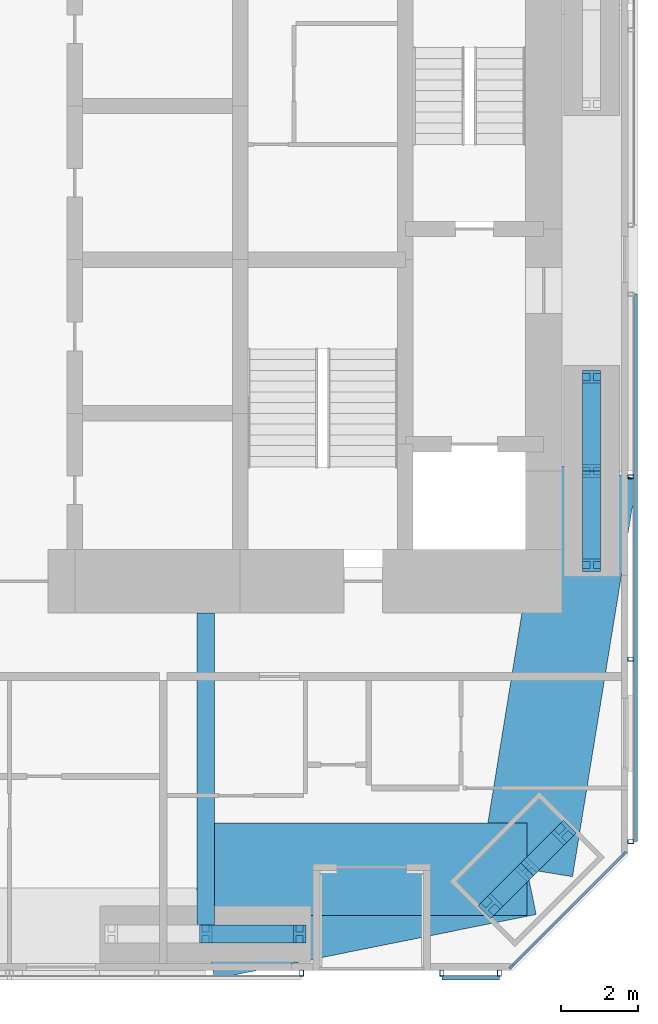
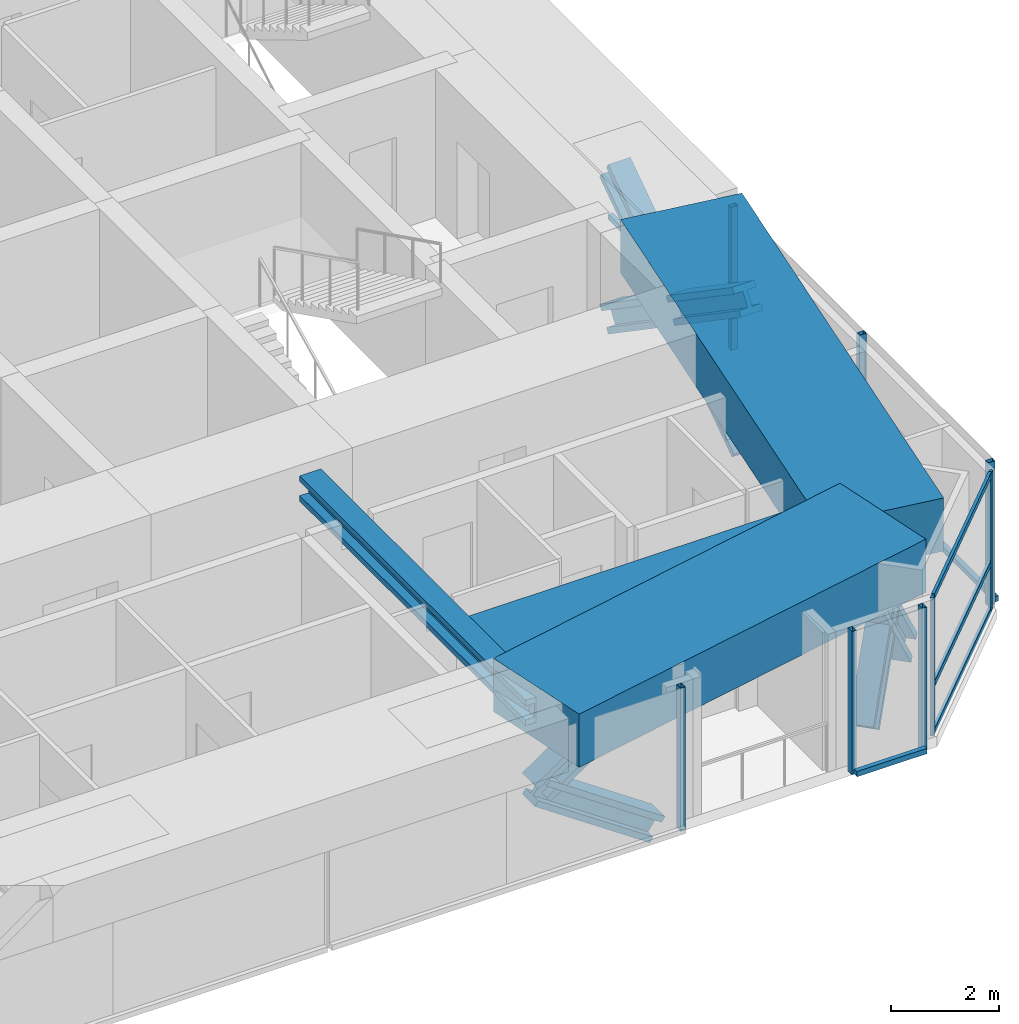
# One storey, part 7 of 22: 23 members, 4 beams, 4 elements without a shape of their own.
"""IFC4 building model written with IfcOpenShell, lengths in metres."""

from ifc_helpers import new_model, si_unit, direction, frame, origin, origin_2d, place, context, subcontext, project, spatial, rectangle, hollow_rectangle, i_section, extrude, material, material_profile, profile_set, type_object, element, aggregate, save


model = new_model("IFC4")

# Units and contexts
model_context = context("Model", 3, precision=1e-05, world=origin(), true_north=direction((0.0, 1.0)))
body_context = subcontext(model_context, "Body", "Model", "MODEL_VIEW")
ifc_project = project(units=[si_unit("LENGTHUNIT", "METRE"), si_unit("AREAUNIT", "SQUARE_METRE"), si_unit("VOLUMEUNIT", "CUBIC_METRE"), si_unit("PLANEANGLEUNIT", "RADIAN"), si_unit("MASSUNIT", "GRAM", prefix="KILO")], contexts=[model_context])

# Site, building, storey
site_placement = place(None, origin())
site = spatial("IfcSite", under=ifc_project, at=site_placement, CompositionType="ELEMENT")
building_placement = place(site_placement, origin())
building = spatial("IfcBuilding", under=site, at=building_placement, Name="Jalousie Tower", CompositionType="ELEMENT")
storey_placement = place(building_placement, frame((0.0, 0.0, 67.89990234375)))
storey = spatial("IfcBuildingStorey", under=building, at=storey_placement, Name="L18", CompositionType="ELEMENT", Elevation=67.89990234375)

# Curtain wall, members
ifc_material_1 = material(Name="Aluminium curtain wall", Category="aluminium")
curtain_wall_type_1 = type_object("IfcCurtainWallType", Name="CORNER WINDOW WALL", PredefinedType="USERDEFINED", material=ifc_material_1)
curtain_wall_1_placement = place(storey_placement, origin())
curtain_wall_1 = element("IfcCurtainWall", 1, at=curtain_wall_1_placement, inside=storey, type_object=curtain_wall_type_1, Name="Corner Window Wall L18 2", ObjectType="CORNER WINDOW WALL", PredefinedType="USERDEFINED")
ifc_material_2 = material(Name="Aluminium mullion", Category="aluminium")
ifc_material_profile_1 = material_profile(ifc_material_2, rectangle(XDim=0.06005859375, YDim=0.14990234375, at=origin_2d()), Name="MULLION 60x150")
ifc_profile_set_1 = profile_set([ifc_material_profile_1], Name="Aluminium mullion")
member_type_1 = type_object("IfcMemberType", Name="CORNER WINDOW WALL MULLION", PredefinedType="MULLION", material=ifc_profile_set_1)
member_1_placement = place(storey_placement, frame((42.969970703125, 0.108642578125, 0.0), z_axis=(0.0, 0.0, 1.0), x_axis=(-0.707106781187, 0.707106781187, 0.0)))
member_1 = element("IfcMember", 2, at=member_1_placement, type_object=member_type_1, Name="CW-C mullion 1", PredefinedType="MULLION", context=body_context, shape_type="SweptSolid", body=[
    extrude(rectangle(XDim=0.06005859375, YDim=0.14990234375, at=origin_2d()), origin(), (0.0, 0.0, 1.0), 3.110107421875),
])
member_2_placement = place(storey_placement, frame((45.891357421875, 3.030029296875, 0.0), z_axis=(0.0, 0.0, 1.0), x_axis=(-0.707106781187, 0.707106781187, 0.0)))
member_2 = element("IfcMember", 3, at=member_2_placement, type_object=member_type_1, Name="CW-C mullion 2", PredefinedType="MULLION", context=body_context, shape_type="SweptSolid", body=[
    extrude(rectangle(XDim=0.06005859375, YDim=0.14990234375, at=origin_2d()), origin(), (0.0, 0.0, 1.0), 3.110107421875),
])
ifc_material_3 = material(Name="Aluminium transom", Category="aluminium")
ifc_material_profile_2 = material_profile(ifc_material_3, rectangle(XDim=0.06005859375, YDim=0.1201171875, at=origin_2d()), Name="TRANSOM 60x120")
ifc_profile_set_2 = profile_set([ifc_material_profile_2], Name="Aluminium transom")
member_type_2 = type_object("IfcMemberType", Name="CORNER WINDOW WALL TRANSOM", PredefinedType="USERDEFINED", material=ifc_profile_set_2)
member_3_placement = place(storey_placement, frame((42.9912109375, 0.1298828125, 0.030029296875), z_axis=(0.707106781187, 0.707106781187, 0.0), x_axis=(-0.707106781187, 0.707106781187, 0.0)))
member_3 = element("IfcMember", 4, at=member_3_placement, type_object=member_type_2, Name="CW-C transom 1.1", ObjectType="TRANSOM", PredefinedType="USERDEFINED", context=body_context, shape_type="SweptSolid", body=[
    extrude(rectangle(XDim=0.06005859375, YDim=0.1201171875, at=origin_2d()), origin(), (0.0, 0.0, 1.0), 4.0712890625),
])
member_4_placement = place(storey_placement, frame((42.9912109375, 0.1298828125, 1.10009765625), z_axis=(0.707106781187, 0.707106781187, 0.0), x_axis=(-0.707106781187, 0.707106781187, 0.0)))
member_4 = element("IfcMember", 5, at=member_4_placement, type_object=member_type_2, Name="CW-C transom 1.2", ObjectType="TRANSOM", PredefinedType="USERDEFINED", context=body_context, shape_type="SweptSolid", body=[
    extrude(rectangle(XDim=0.06005859375, YDim=0.1201171875, at=origin_2d()), origin(), (0.0, 0.0, 1.0), 4.0712890625),
])
member_5_placement = place(storey_placement, frame((42.9912109375, 0.1298828125, 3.080078125), z_axis=(0.707106781187, 0.707106781187, 0.0), x_axis=(-0.707106781187, 0.707106781187, 0.0)))
member_5 = element("IfcMember", 6, at=member_5_placement, type_object=member_type_2, Name="CW-C transom 1.3", ObjectType="TRANSOM", PredefinedType="USERDEFINED", context=body_context, shape_type="SweptSolid", body=[
    extrude(rectangle(XDim=0.06005859375, YDim=0.1201171875, at=origin_2d()), origin(), (0.0, 0.0, 1.0), 4.0712890625),
])
aggregate(curtain_wall_1, [member_1, member_2, member_3, member_4, member_5])

# Beam
ifc_material_4 = material(Name="Steel ASTM A992 Grade 50", Category="steel")
ifc_material_profile_3 = material_profile(ifc_material_4, i_section(OverallWidth=0.45458984375, OverallDepth=0.569091796875, WebThickness=0.077880859375, FlangeThickness=0.124755859375, at=origin_2d()), Name="W14X730")
ifc_profile_set_3 = profile_set([ifc_material_profile_3], Name="Steel ASTM A992 Grade 50")
beam_type_1 = type_object("IfcBeamType", Name="LEAN COLLECTOR W14X730", PredefinedType="BEAM", material=ifc_profile_set_3)
beam_1_placement = place(storey_placement, frame((35.0, 0.949951171875, 2.82568359375), z_axis=(0.0, 1.0, 0.0), x_axis=(-1.0, 0.0, 0.0)))
element("IfcBeam", 7, at=beam_1_placement, inside=storey, type_object=beam_type_1, Name="Lean collector under L19", PredefinedType="BEAM", context=body_context, shape_type="SweptSolid", body=[
    extrude(i_section(OverallWidth=0.45458984375, OverallDepth=0.569091796875, WebThickness=0.077880859375, FlangeThickness=0.124755859375, at=origin_2d()), origin(), (0.0, 0.0, 1.0), 8.35009765625),
])

# Members
ifc_material_5 = material(Name="Steel ASTM A992 Grade 50", Category="steel")
ifc_material_profile_4 = material_profile(ifc_material_5, i_section(OverallWidth=0.472412109375, OverallDepth=0.5791015625, WebThickness=0.094970703125, FlangeThickness=0.1298828125, at=origin_2d()), Name="W14X808")
ifc_profile_set_4 = profile_set([ifc_material_profile_4], Name="Steel ASTM A992 Grade 50")
member_type_3 = type_object("IfcMemberType", Name="PERIMETER BRACE W14X808", PredefinedType="BRACE", material=ifc_profile_set_4)
for number, where, z_axis, x_axis, name in (
    (8, (35.0, 0.949951171875, 1.0751953125), (0.825539243753, 0.0, 0.564344714713), (0.0, 1.0, 0.0), "Perimeter brace 04 L18 part 2"),
    (9, (37.449951171875, 0.949951171875, -0.599853515625), (-0.825500916831, 0.0, 0.564400776321), (0.0, -1.0, 0.0), "Perimeter brace 04 L18 part 3"),
):
    element("IfcMember", number, at=place(storey_placement, frame(where, z_axis=z_axis, x_axis=x_axis)), inside=storey, type_object=member_type_3, Name=name, PredefinedType="BRACE", context=body_context, shape_type="SweptSolid", body=[
        extrude(i_section(OverallWidth=0.472412109375, OverallDepth=0.5791015625, WebThickness=0.094970703125, FlangeThickness=0.1298828125, at=origin_2d()), origin(), (0.0, 0.0, 1.0), 2.9677734375),
    ])
member_6_placement = place(storey_placement, frame((42.4140625, 1.6767578125, -0.599853515625), z_axis=(0.443718327034, 0.443718327034, 0.778606506849), x_axis=(-0.707106781187, 0.707106781187, 0.0)))
element("IfcMember", 10, at=member_6_placement, inside=storey, type_object=member_type_3, Name="Perimeter brace 05 L18 part 1", PredefinedType="BRACE", context=body_context, shape_type="SweptSolid", body=[
    extrude(i_section(OverallWidth=0.472412109375, OverallDepth=0.5791015625, WebThickness=0.094970703125, FlangeThickness=0.1298828125, at=origin_2d()), origin(), (0.0, 0.0, 1.0), 2.1513671875),
])
member_7_placement = place(storey_placement, frame((43.36865234375, 2.63134765625, 1.0751953125), z_axis=(0.443757535686, 0.443757535686, 0.778561814529), x_axis=(-0.707106781187, 0.707106781187, 0.0)))
element("IfcMember", 11, at=member_7_placement, inside=storey, type_object=member_type_3, Name="Perimeter brace 05 L18 part 2", PredefinedType="BRACE", context=body_context, shape_type="SweptSolid", body=[
    extrude(i_section(OverallWidth=0.472412109375, OverallDepth=0.5791015625, WebThickness=0.094970703125, FlangeThickness=0.1298828125, at=origin_2d()), origin(), (0.0, 0.0, 1.0), 2.151123046875),
])
member_8_placement = place(storey_placement, frame((44.3232421875, 3.5859375, -0.599853515625), z_axis=(-0.443718327034, -0.443718327034, 0.778606506849), x_axis=(0.707106781187, -0.707106781187, 0.0)))
element("IfcMember", 12, at=member_8_placement, inside=storey, type_object=member_type_3, Name="Perimeter brace 05 L18 part 3", PredefinedType="BRACE", context=body_context, shape_type="SweptSolid", body=[
    extrude(i_section(OverallWidth=0.472412109375, OverallDepth=0.5791015625, WebThickness=0.094970703125, FlangeThickness=0.1298828125, at=origin_2d()), origin(), (0.0, 0.0, 1.0), 2.1513671875),
])
member_9_placement = place(storey_placement, frame((43.36865234375, 2.63134765625, 1.0751953125), z_axis=(-0.443757535686, -0.443757535686, 0.778561814529), x_axis=(0.707106781187, -0.707106781187, 0.0)))
element("IfcMember", 13, at=member_9_placement, inside=storey, type_object=member_type_3, Name="Perimeter brace 05 L18 part 4", PredefinedType="BRACE", context=body_context, shape_type="SweptSolid", body=[
    extrude(i_section(OverallWidth=0.472412109375, OverallDepth=0.5791015625, WebThickness=0.094970703125, FlangeThickness=0.1298828125, at=origin_2d()), origin(), (0.0, 0.0, 1.0), 2.151123046875),
])
for number, where, z_axis, x_axis, name in (
    (14, (45.050048828125, 10.550048828125, -0.599853515625), (0.0, 0.825500916831, 0.564400776321), (-1.0, 0.0, 0.0), "Perimeter brace 06 L18 part 1"),
    (15, (45.050048828125, 13.0, 1.0751953125), (0.0, 0.825539243753, 0.564344714713), (-1.0, 0.0, 0.0), "Perimeter brace 06 L18 part 2"),
    (16, (45.050048828125, 15.449951171875, -0.599853515625), (0.0, -0.825500916831, 0.564400776321), (1.0, 0.0, 0.0), "Perimeter brace 06 L18 part 3"),
    (17, (45.050048828125, 13.0, 1.0751953125), (0.0, -0.825539243753, 0.564344714713), (1.0, 0.0, 0.0), "Perimeter brace 06 L18 part 4"),
):
    element("IfcMember", number, at=place(storey_placement, frame(where, z_axis=z_axis, x_axis=x_axis)), inside=storey, type_object=member_type_3, Name=name, PredefinedType="BRACE", context=body_context, shape_type="SweptSolid", body=[
        extrude(i_section(OverallWidth=0.472412109375, OverallDepth=0.5791015625, WebThickness=0.094970703125, FlangeThickness=0.1298828125, at=origin_2d()), origin(), (0.0, 0.0, 1.0), 2.9677734375),
    ])

# Beams
ifc_material_6 = material(Name="Concrete f'c 40 MPa", Category="concrete")
ifc_material_profile_5 = material_profile(ifc_material_6, rectangle(XDim=2.39990234375, YDim=1.199951171875, at=origin_2d()), Name="RC 2400x1200")
ifc_profile_set_5 = profile_set([ifc_material_profile_5], Name="Concrete f'c 40 MPa")
beam_type_2 = type_object("IfcBeamType", Name="RC BEAM 2400x1200", PredefinedType="BEAM", material=ifc_profile_set_5)
beam_2_placement = place(storey_placement, frame((35.0, 0.949951171875, 2.75), z_axis=(0.980407585444, 0.196979609107, 0.0), x_axis=(-0.196979609107, 0.980407585444, 0.0)))
element("IfcBeam", 18, at=beam_2_placement, inside=storey, type_object=beam_type_2, Name="Edge band beam 04-05 under L19", PredefinedType="BEAM", context=body_context, shape_type="SweptSolid", body=[
    extrude(rectangle(XDim=2.39990234375, YDim=1.199951171875, at=origin_2d()), origin(), (0.0, 0.0, 1.0), 8.535888671875),
])
beam_3_placement = place(storey_placement, frame((43.36865234375, 2.63134765625, 2.75), z_axis=(0.160070546476, 0.987105577003, 0.0), x_axis=(-0.987105577003, 0.160070546476, 0.0)))
element("IfcBeam", 19, at=beam_3_placement, inside=storey, type_object=beam_type_2, Name="Edge band beam 05-06 under L19", PredefinedType="BEAM", context=body_context, shape_type="SweptSolid", body=[
    extrude(rectangle(XDim=2.39990234375, YDim=1.199951171875, at=origin_2d()), origin(), (0.0, 0.0, 1.0), 10.504150390625),
])
ifc_material_7 = material(Name="Concrete f'c 40 MPa", Category="concrete")
ifc_material_profile_6 = material_profile(ifc_material_7, rectangle(XDim=2.39990234375, YDim=0.60009765625, at=origin_2d()), Name="RC 2400x600")
ifc_profile_set_6 = profile_set([ifc_material_profile_6], Name="Concrete f'c 40 MPa")
beam_type_3 = type_object("IfcBeamType", Name="RC BEAM 2400x600", PredefinedType="BEAM", material=ifc_profile_set_6)
beam_4_placement = place(storey_placement, frame((43.36865234375, 2.63134765625, 2.81005859375), z_axis=(-1.0, 0.0, 0.0), x_axis=(0.0, -1.0, 0.0)))
element("IfcBeam", 20, at=beam_4_placement, inside=storey, type_object=beam_type_3, Name="Floor band beam under L19", PredefinedType="BEAM", context=body_context, shape_type="SweptSolid", body=[
    extrude(rectangle(XDim=2.39990234375, YDim=0.60009765625, at=origin_2d()), origin(), (0.0, 0.0, 1.0), 8.36865234375),
])

# Curtain wall, member
ifc_material_8 = material(Name="Perforated aluminium sheet", Category="aluminium")
curtain_wall_type_2 = type_object("IfcCurtainWallType", Name="SOLAR SCREEN SS-1", PredefinedType="USERDEFINED", material=ifc_material_8)
curtain_wall_2_placement = place(storey_placement, origin())
curtain_wall_2 = element("IfcCurtainWall", 21, at=curtain_wall_2_placement, inside=storey, type_object=curtain_wall_type_2, Name="Solar screen L18", ObjectType="SOLAR SCREEN SS-1", PredefinedType="USERDEFINED")
ifc_material_9 = material(Name="Steel ASTM A500 Grade C", Category="steel")
ifc_material_profile_7 = material_profile(ifc_material_9, hollow_rectangle(XDim=0.1015625, YDim=0.15234375, WallThickness=0.00634765625, at=origin_2d()), Name="HSS6X4X1/4")
ifc_profile_set_7 = profile_set([ifc_material_profile_7], Name="Steel ASTM A500 Grade C")
member_type_4 = type_object("IfcMemberType", Name="SOLAR SCREEN SS-1 MULLION", PredefinedType="MULLION", material=ifc_profile_set_7)
member_10_placement = place(storey_placement, frame((37.5, -0.0712890625, -0.119873046875), z_axis=(0.0, 0.0, 1.0), x_axis=(1.0, 0.0, 0.0)))
member_10 = element("IfcMember", 22, at=member_10_placement, type_object=member_type_4, Name="SS1 post 3", PredefinedType="MULLION", context=body_context, shape_type="SweptSolid", body=[
    extrude(hollow_rectangle(XDim=0.1015625, YDim=0.15234375, WallThickness=0.00634765625, at=origin_2d()), origin(), (0.0, 0.0, 1.0), 3.22998046875),
])
aggregate(curtain_wall_2, [member_10])

# Curtain wall, members
curtain_wall_3_placement = place(storey_placement, origin())
curtain_wall_3 = element("IfcCurtainWall", 23, at=curtain_wall_3_placement, inside=storey, type_object=curtain_wall_type_2, Name="Solar screen L18", ObjectType="SOLAR SCREEN SS-1", PredefinedType="USERDEFINED")
member_11_placement = place(storey_placement, frame((41.14990234375, -0.0712890625, -0.119873046875), z_axis=(0.0, 0.0, 1.0), x_axis=(1.0, 0.0, 0.0)))
member_11 = element("IfcMember", 24, at=member_11_placement, type_object=member_type_4, Name="SS1 post 1", PredefinedType="MULLION", context=body_context, shape_type="SweptSolid", body=[
    extrude(hollow_rectangle(XDim=0.1015625, YDim=0.15234375, WallThickness=0.00634765625, at=origin_2d()), origin(), (0.0, 0.0, 1.0), 3.22998046875),
])
member_12_placement = place(storey_placement, frame((42.648681640625, -0.0712890625, -0.119873046875), z_axis=(0.0, 0.0, 1.0), x_axis=(1.0, 0.0, 0.0)))
member_12 = element("IfcMember", 25, at=member_12_placement, type_object=member_type_4, Name="SS1 post 2", PredefinedType="MULLION", context=body_context, shape_type="SweptSolid", body=[
    extrude(hollow_rectangle(XDim=0.1015625, YDim=0.15234375, WallThickness=0.00634765625, at=origin_2d()), origin(), (0.0, 0.0, 1.0), 3.22998046875),
])

curtain_wall_4_placement = place(storey_placement, origin())
curtain_wall_4 = element("IfcCurtainWall", 26, at=curtain_wall_4_placement, inside=storey, type_object=curtain_wall_type_2, Name="Solar screen L18", ObjectType="SOLAR SCREEN SS-1", PredefinedType="USERDEFINED")
member_13_placement = place(storey_placement, frame((46.0712890625, 3.351318359375, -0.119873046875), z_axis=(0.0, 0.0, 1.0), x_axis=(0.0, 1.0, 0.0)))
member_13 = element("IfcMember", 27, at=member_13_placement, type_object=member_type_4, Name="SS1 post 1", PredefinedType="MULLION", context=body_context, shape_type="SweptSolid", body=[
    extrude(hollow_rectangle(XDim=0.1015625, YDim=0.15234375, WallThickness=0.00634765625, at=origin_2d()), origin(), (0.0, 0.0, 1.0), 3.22998046875),
])
member_14_placement = place(storey_placement, frame((46.0712890625, 8.100830078125, -0.119873046875), z_axis=(0.0, 0.0, 1.0), x_axis=(0.0, 1.0, 0.0)))
member_14 = element("IfcMember", 28, at=member_14_placement, type_object=member_type_4, Name="SS1 post 2", PredefinedType="MULLION", context=body_context, shape_type="SweptSolid", body=[
    extrude(hollow_rectangle(XDim=0.1015625, YDim=0.15234375, WallThickness=0.00634765625, at=origin_2d()), origin(), (0.0, 0.0, 1.0), 3.22998046875),
])
member_15_placement = place(storey_placement, frame((46.0712890625, 12.850341796875, -0.119873046875), z_axis=(0.0, 0.0, 1.0), x_axis=(0.0, 1.0, 0.0)))
member_15 = element("IfcMember", 29, at=member_15_placement, type_object=member_type_4, Name="SS1 post 3", PredefinedType="MULLION", context=body_context, shape_type="SweptSolid", body=[
    extrude(hollow_rectangle(XDim=0.1015625, YDim=0.15234375, WallThickness=0.00634765625, at=origin_2d()), origin(), (0.0, 0.0, 1.0), 3.22998046875),
])

# Member
ifc_material_10 = material(Name="Extruded aluminium screen rail", Category="aluminium")
ifc_material_profile_8 = material_profile(ifc_material_10, rectangle(XDim=0.1015625, YDim=0.1201171875, at=origin_2d()), Name="RAIL 102x120")
ifc_profile_set_8 = profile_set([ifc_material_profile_8], Name="Extruded aluminium screen rail")
member_type_5 = type_object("IfcMemberType", Name="SOLAR SCREEN SS-1 TRANSOM", PredefinedType="USERDEFINED", material=ifc_profile_set_8)
member_16_placement = place(storey_placement, frame((41.14990234375, -0.1982421875, -0.059814453125), z_axis=(1.0, 0.0, 0.0), x_axis=(0.0, 1.0, 0.0)))
member_16 = element("IfcMember", 30, at=member_16_placement, type_object=member_type_5, Name="SS1 rail", ObjectType="TRANSOM", PredefinedType="USERDEFINED", context=body_context, shape_type="SweptSolid", body=[
    extrude(rectangle(XDim=0.1015625, YDim=0.1201171875, at=origin_2d()), origin(), (0.0, 0.0, 1.0), 1.498779296875),
])

aggregate(curtain_wall_3, [member_11, member_12, member_16])

member_17_placement = place(storey_placement, frame((46.1982421875, 3.351318359375, -0.059814453125), z_axis=(0.0, 1.0, 0.0), x_axis=(-1.0, 0.0, 0.0)))
member_17 = element("IfcMember", 31, at=member_17_placement, type_object=member_type_5, Name="SS1 rail", ObjectType="TRANSOM", PredefinedType="USERDEFINED", context=body_context, shape_type="SweptSolid", body=[
    extrude(rectangle(XDim=0.1015625, YDim=0.1201171875, at=origin_2d()), origin(), (0.0, 0.0, 1.0), 14.248779296875),
])

aggregate(curtain_wall_4, [member_13, member_14, member_15, member_17])

save(model, "model.ifc")
